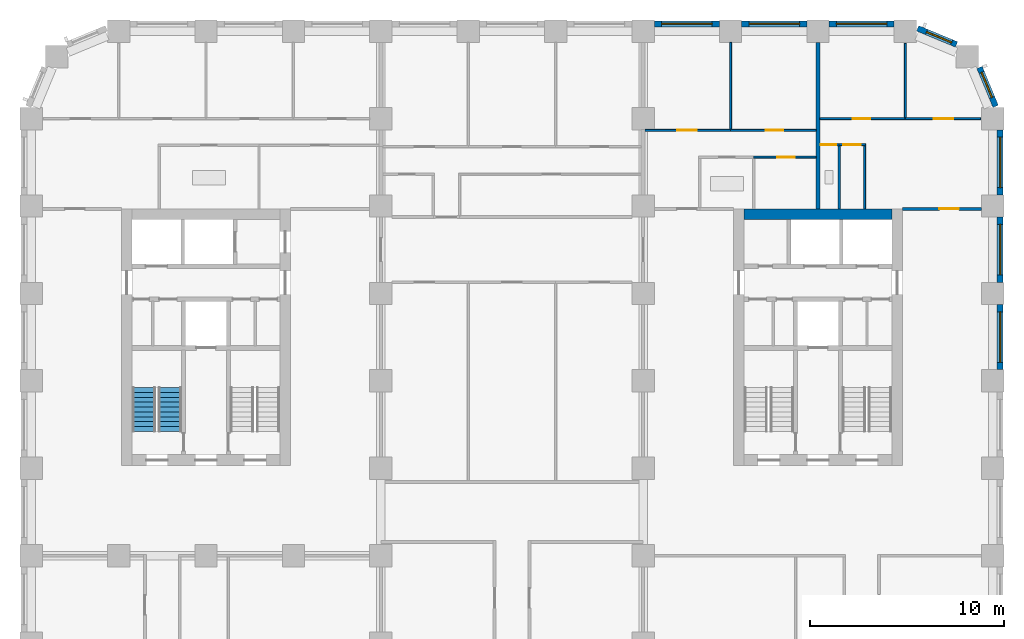
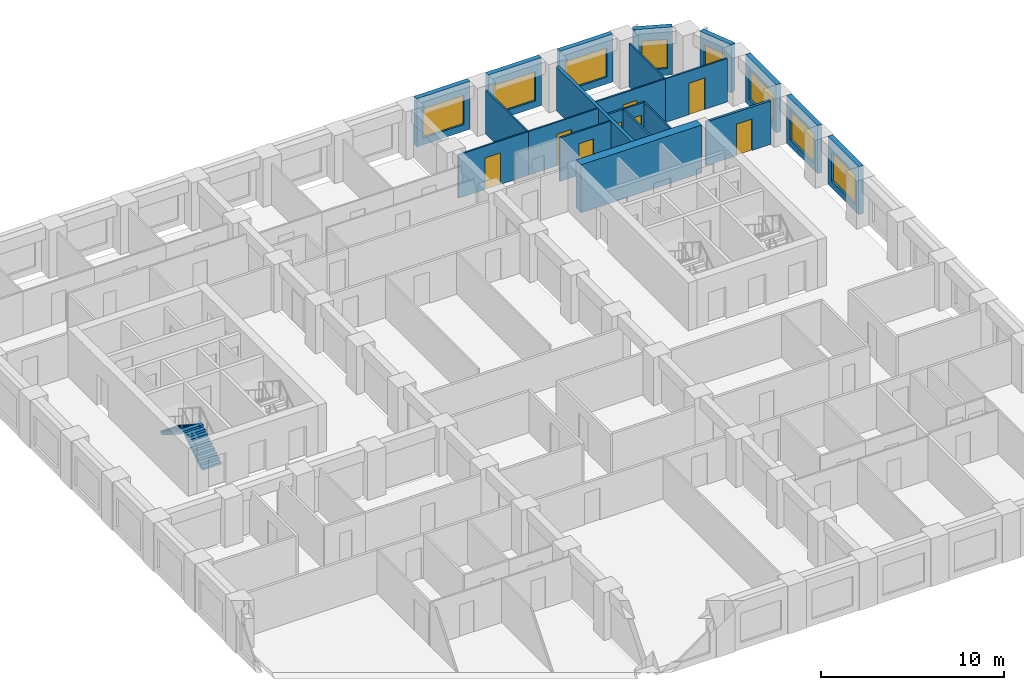
# One storey, part 9 of 13: 22 walls, 8 doors, 8 windows, 2 stair flights, 16 openings, 1 element without a shape of its own.
"""IFC4 building model written with IfcOpenShell, lengths in metres."""

from ifc_helpers import new_model, si_unit, direction, frame, frame_2d, origin, place, context, subcontext, project, spatial, polyline, rectangle, outline, extrude, material, layer, layer_set, type_object, element, fill, aggregate, save


model = new_model("IFC4")

# Units and contexts
model_context = context("Model", 3, precision=1e-05, world=origin(), true_north=direction((0.0, 1.0)))
body_context = subcontext(model_context, "Body", "Model", "MODEL_VIEW")
ifc_project = project(units=[si_unit("LENGTHUNIT", "METRE"), si_unit("AREAUNIT", "SQUARE_METRE"), si_unit("VOLUMEUNIT", "CUBIC_METRE"), si_unit("PLANEANGLEUNIT", "RADIAN"), si_unit("MASSUNIT", "GRAM", prefix="KILO")], contexts=[model_context])

# Site, building, storey
site_placement = place(None, origin())
site = spatial("IfcSite", under=ifc_project, at=site_placement, CompositionType="ELEMENT")
building_placement = place(site_placement, origin())
building = spatial("IfcBuilding", under=site, at=building_placement, Name="Girih Gate Residences", CompositionType="ELEMENT")
storey_placement = place(building_placement, frame((0.0, 0.0, 92.800048828125)))
storey = spatial("IfcBuildingStorey", under=building, at=storey_placement, Name="L25", CompositionType="ELEMENT", Elevation=92.800048828125)

# Wall, opening, door
ifc_material_1 = material(Name="Gypsum board on steel studs", Category="steel")
ifc_layer_1 = layer(ifc_material_1, 0.14990234375)
ifc_layer_set_1 = layer_set([ifc_layer_1], Name="Compartment wall 150 mm")
wall_type_1 = type_object("IfcWallType", Name="Compartment wall 150 mm", PredefinedType="PARTITIONING", material=ifc_layer_set_1)
wall_1_placement = place(storey_placement, frame((44.85009765625, 40.35009765625, 0.0), z_axis=(0.0, 0.0, 1.0), x_axis=(1.0, 0.0, 0.0)))
wall_1 = element("IfcWall", 1, at=wall_1_placement, inside=storey, type_object=wall_type_1, Name="L25 partition", PredefinedType="PARTITIONING", context=body_context, shape_type="SweptSolid", body=[
    extrude(rectangle(XDim=4.074951171875, YDim=0.14990234375, at=frame_2d((2.03759765625, 0.0))), origin(), (0.0, 0.0, 1.0), 2.89990234375),
])
opening_1_placement = place(wall_1_placement, frame((1.89990234375, 0.0, 0.0)))
opening_1 = element("IfcOpeningElement", 2, at=opening_1_placement, cuts=wall_1, Name="Opening A25-029", PredefinedType="OPENING", context=body_context, shape_type="SweptSolid", body=[
    extrude(rectangle(XDim=1.0, YDim=2.10009765625, at=frame_2d((0.5, 1.050048828125))), frame((0.0, 0.0849609375, 0.0), z_axis=(0.0, -1.0, 0.0), x_axis=(1.0, 0.0, 0.0)), (0.0, 0.0, 1.0), 0.169921875),
])
ifc_material_2 = material(Name="Timber, fire-rated core", Category="wood")
door_type_1 = type_object("IfcDoorType", Name="Flat entrance door 1000x2100 FD30S", OperationType="NOTDEFINED", PredefinedType="DOOR", material=ifc_material_2)
door_1_placement = place(opening_1_placement, origin())
door_1 = element("IfcDoor", 3, at=door_1_placement, inside=storey, type_object=door_type_1, Name="Door A25-029", OperationType="SINGLE_SWING_RIGHT", OverallHeight=2.10009765625, OverallWidth=1.0, PredefinedType="DOOR", context=body_context, shape_type="SweptSolid", body=[
    extrude(rectangle(XDim=1.0, YDim=2.10009765625, at=frame_2d((0.5, 1.050048828125))), frame((0.0, 0.02490234375, 0.0), z_axis=(0.0, -1.0, 0.0), x_axis=(1.0, 0.0, 0.0)), (0.0, 0.0, 1.0), 0.050048828125),
])
fill(opening_1, door_1)

# Wall
ifc_material_3 = material(Name="Concrete C60/75", Category="concrete")
ifc_layer_2 = layer(ifc_material_3, 0.550048828125)
ifc_layer_set_2 = layer_set([ifc_layer_2], Name="Core wall RC 550 Concrete C60/75")
wall_type_2 = type_object("IfcWallType", Name="Core wall RC 550 Concrete C60/75", PredefinedType="SOLIDWALL", material=ifc_layer_set_2)
wall_2_placement = place(storey_placement, frame((36.699951171875, 40.074951171875, 0.0), z_axis=(0.0, 0.0, 1.0), x_axis=(1.0, 0.0, 0.0)))
element("IfcWall", 4, at=wall_2_placement, inside=storey, type_object=wall_type_2, Name="Core wall E-N L25", PredefinedType="SOLIDWALL", context=body_context, shape_type="SweptSolid", body=[
    extrude(rectangle(XDim=7.60009765625, YDim=0.550048828125, at=frame_2d((3.800048828125, 0.0))), origin(), (0.0, 0.0, 1.0), 3.199951171875),
])

# Wall, opening, door
ifc_layer_3 = layer(ifc_material_1, 0.10009765625)
ifc_layer_set_3 = layer_set([ifc_layer_3], Name="Partition 100 mm")
wall_type_3 = type_object("IfcWallType", Name="Partition 100 mm", PredefinedType="PARTITIONING", material=ifc_layer_set_3)
wall_3_placement = place(storey_placement, frame((40.60009765625, 45.0, 0.0), z_axis=(0.0, 0.0, 1.0), x_axis=(1.0, 0.0, 0.0)))
wall_3 = element("IfcWall", 5, at=wall_3_placement, inside=storey, type_object=wall_type_3, Name="L25 partition", PredefinedType="PARTITIONING", context=body_context, shape_type="SweptSolid", body=[
    extrude(rectangle(XDim=4.39990234375, YDim=0.10009765625, at=frame_2d((2.199951171875, 0.0))), origin(), (0.0, 0.0, 1.0), 2.89990234375),
])
opening_2_placement = place(wall_3_placement, frame((1.699951171875, 0.0, 0.0)))
opening_2 = element("IfcOpeningElement", 6, at=opening_2_placement, cuts=wall_3, Name="Opening A25-026", PredefinedType="OPENING", context=body_context, shape_type="SweptSolid", body=[
    extrude(rectangle(XDim=0.89990234375, YDim=2.10009765625, at=frame_2d((0.449951171875, 1.050048828125))), frame((0.0, 0.06005859375, 0.0), z_axis=(0.0, -1.0, 0.0), x_axis=(1.0, 0.0, 0.0)), (0.0, 0.0, 1.0), 0.1201171875),
])
ifc_material_4 = material(Name="Timber", Category="wood")
door_type_2 = type_object("IfcDoorType", Name="Bedroom door 900x2100", OperationType="NOTDEFINED", PredefinedType="DOOR", material=ifc_material_4)
door_2_placement = place(opening_2_placement, origin())
door_2 = element("IfcDoor", 7, at=door_2_placement, inside=storey, type_object=door_type_2, Name="Door A25-026", OperationType="SINGLE_SWING_LEFT", OverallHeight=2.10009765625, OverallWidth=0.89990234375, PredefinedType="DOOR", context=body_context, shape_type="SweptSolid", body=[
    extrude(rectangle(XDim=0.89990234375, YDim=2.10009765625, at=frame_2d((0.449951171875, 1.050048828125))), frame((0.0, 0.02490234375, 0.0), z_axis=(0.0, -1.0, 0.0), x_axis=(1.0, 0.0, 0.0)), (0.0, 0.0, 1.0), 0.050048828125),
])
fill(opening_2, door_2)

# Walls
wall_4_placement = place(storey_placement, frame((45.0, 45.050048828125, 0.0), z_axis=(0.0, 0.0, 1.0), x_axis=(0.0, 1.0, 0.0)))
element("IfcWall", 8, at=wall_4_placement, inside=storey, type_object=wall_type_3, Name="L25 partition", PredefinedType="PARTITIONING", context=body_context, shape_type="SweptSolid", body=[
    extrude(rectangle(XDim=3.82763671875, YDim=0.10009765625, at=frame_2d((1.913818359375, 0.0))), origin(), (0.0, 0.0, 1.0), 2.89990234375),
])
wall_5_placement = place(storey_placement, frame((42.89990234375, 40.35009765625, 0.0), z_axis=(0.0, 0.0, 1.0), x_axis=(0.0, 1.0, 0.0)))
element("IfcWall", 9, at=wall_5_placement, inside=storey, type_object=wall_type_3, Name="L25 partition", PredefinedType="PARTITIONING", context=body_context, shape_type="SweptSolid", body=[
    extrude(rectangle(XDim=3.260009765625, YDim=0.10009765625, at=frame_2d((1.6298828125, 0.0))), origin(), (0.0, 0.0, 1.0), 2.89990234375),
])

# Wall, opening, door
wall_6_placement = place(storey_placement, frame((42.949951171875, 43.659912109375, 0.0), z_axis=(0.0, 0.0, 1.0), x_axis=(-1.0, 0.0, 0.0)))
wall_6 = element("IfcWall", 10, at=wall_6_placement, inside=storey, type_object=wall_type_3, Name="L25 partition", PredefinedType="PARTITIONING", context=body_context, shape_type="SweptSolid", body=[
    extrude(rectangle(XDim=1.359130859375, YDim=0.10009765625, at=frame_2d((0.6796875, 0.0))), origin(), (0.0, 0.0, 1.0), 2.89990234375),
])
opening_3_placement = place(wall_6_placement, frame((0.25439453125, 0.0, 0.0)))
opening_3 = element("IfcOpeningElement", 11, at=opening_3_placement, cuts=wall_6, Name="Opening A25-027", PredefinedType="OPENING", context=body_context, shape_type="SweptSolid", body=[
    extrude(rectangle(XDim=0.89990234375, YDim=2.10009765625, at=frame_2d((0.449951171875, 1.050048828125))), frame((0.0, 0.06005859375, 0.0), z_axis=(0.0, -1.0, 0.0), x_axis=(1.0, 0.0, 0.0)), (0.0, 0.0, 1.0), 0.1201171875),
])
door_type_3 = type_object("IfcDoorType", Name="Kitchen door 900x2100", OperationType="NOTDEFINED", PredefinedType="DOOR", material=ifc_material_4)
door_3_placement = place(opening_3_placement, origin())
door_3 = element("IfcDoor", 12, at=door_3_placement, inside=storey, type_object=door_type_3, Name="Door A25-027", OperationType="SINGLE_SWING_RIGHT", OverallHeight=2.10009765625, OverallWidth=0.89990234375, PredefinedType="DOOR", context=body_context, shape_type="SweptSolid", body=[
    extrude(rectangle(XDim=0.89990234375, YDim=2.10009765625, at=frame_2d((0.449951171875, 1.050048828125))), frame((0.0, 0.02490234375, 0.0), z_axis=(0.0, -1.0, 0.0), x_axis=(1.0, 0.0, 0.0)), (0.0, 0.0, 1.0), 0.050048828125),
])
fill(opening_3, door_3)

wall_7_placement = place(storey_placement, frame((45.0, 45.0, 0.0), z_axis=(0.0, 0.0, 1.0), x_axis=(1.0, 0.0, 0.0)))
wall_7 = element("IfcWall", 13, at=wall_7_placement, inside=storey, type_object=wall_type_3, Name="L25 partition", PredefinedType="PARTITIONING", context=body_context, shape_type="SweptSolid", body=[
    extrude(rectangle(XDim=3.877685546875, YDim=0.10009765625, at=frame_2d((1.93896484375, 0.0))), origin(), (0.0, 0.0, 1.0), 2.89990234375),
])
opening_4_placement = place(wall_7_placement, frame((1.46240234375, 0.0, 0.0)))
opening_4 = element("IfcOpeningElement", 14, at=opening_4_placement, cuts=wall_7, Name="Opening A25-028", PredefinedType="OPENING", context=body_context, shape_type="SweptSolid", body=[
    extrude(rectangle(XDim=1.0, YDim=2.10009765625, at=frame_2d((0.5, 1.050048828125))), frame((0.0, 0.06005859375, 0.0), z_axis=(0.0, -1.0, 0.0), x_axis=(1.0, 0.0, 0.0)), (0.0, 0.0, 1.0), 0.1201171875),
])
door_type_4 = type_object("IfcDoorType", Name="Living room door 1000x2100", OperationType="NOTDEFINED", PredefinedType="DOOR", material=ifc_material_4)
door_4_placement = place(opening_4_placement, origin())
door_4 = element("IfcDoor", 15, at=door_4_placement, inside=storey, type_object=door_type_4, Name="Door A25-028", OperationType="SINGLE_SWING_RIGHT", OverallHeight=2.10009765625, OverallWidth=1.0, PredefinedType="DOOR", context=body_context, shape_type="SweptSolid", body=[
    extrude(rectangle(XDim=1.0, YDim=2.10009765625, at=frame_2d((0.5, 1.050048828125))), frame((0.0, 0.02490234375, 0.0), z_axis=(0.0, -1.0, 0.0), x_axis=(1.0, 0.0, 0.0)), (0.0, 0.0, 1.0), 0.050048828125),
])
fill(opening_4, door_4)

wall_8_placement = place(storey_placement, frame((36.0, 44.39501953125, 0.0), z_axis=(0.0, 0.0, 1.0), x_axis=(1.0, 0.0, 0.0)))
wall_8 = element("IfcWall", 16, at=wall_8_placement, inside=storey, type_object=wall_type_3, Name="L25 partition", PredefinedType="PARTITIONING", context=body_context, shape_type="SweptSolid", body=[
    extrude(rectangle(XDim=4.39990234375, YDim=0.10009765625, at=frame_2d((2.199951171875, 0.0))), origin(), (0.0, 0.0, 1.0), 2.89990234375),
])
opening_5_placement = place(wall_8_placement, frame((1.800048828125, 0.0, 0.0)))
opening_5 = element("IfcOpeningElement", 17, at=opening_5_placement, cuts=wall_8, Name="Opening A25-031", PredefinedType="OPENING", context=body_context, shape_type="SweptSolid", body=[
    extrude(rectangle(XDim=0.89990234375, YDim=2.10009765625, at=frame_2d((0.449951171875, 1.050048828125))), frame((0.0, 0.06005859375, 0.0), z_axis=(0.0, -1.0, 0.0), x_axis=(1.0, 0.0, 0.0)), (0.0, 0.0, 1.0), 0.1201171875),
])
door_5_placement = place(opening_5_placement, origin())
door_5 = element("IfcDoor", 18, at=door_5_placement, inside=storey, type_object=door_type_2, Name="Door A25-031", OperationType="SINGLE_SWING_RIGHT", OverallHeight=2.10009765625, OverallWidth=0.89990234375, PredefinedType="DOOR", context=body_context, shape_type="SweptSolid", body=[
    extrude(rectangle(XDim=0.89990234375, YDim=2.10009765625, at=frame_2d((0.449951171875, 1.050048828125))), frame((0.0, 0.02490234375, 0.0), z_axis=(0.0, -1.0, 0.0), x_axis=(1.0, 0.0, 0.0)), (0.0, 0.0, 1.0), 0.050048828125),
])
fill(opening_5, door_5)

# Wall
wall_9_placement = place(storey_placement, frame((36.0, 44.445068359375, 0.0), z_axis=(0.0, 0.0, 1.0), x_axis=(0.0, 1.0, 0.0)))
element("IfcWall", 19, at=wall_9_placement, inside=storey, type_object=wall_type_3, Name="L25 partition", PredefinedType="PARTITIONING", context=body_context, shape_type="SweptSolid", body=[
    extrude(rectangle(XDim=4.47998046875, YDim=0.10009765625, at=frame_2d((2.239990234375, 0.0))), origin(), (0.0, 0.0, 1.0), 2.89990234375),
])

# Wall, opening, door
wall_10_placement = place(storey_placement, frame((40.39990234375, 43.014892578125, 0.0), z_axis=(0.0, 0.0, 1.0), x_axis=(-1.0, 0.0, 0.0)))
wall_10 = element("IfcWall", 20, at=wall_10_placement, inside=storey, type_object=wall_type_3, Name="L25 partition", PredefinedType="PARTITIONING", context=body_context, shape_type="SweptSolid", body=[
    extrude(rectangle(XDim=3.20947265625, YDim=0.10009765625, at=frame_2d((1.604736328125, 0.0))), origin(), (0.0, 0.0, 1.0), 2.89990234375),
])
opening_6_placement = place(wall_10_placement, frame((1.104736328125, 0.0, 0.0)))
opening_6 = element("IfcOpeningElement", 21, at=opening_6_placement, cuts=wall_10, Name="Opening A25-032", PredefinedType="OPENING", context=body_context, shape_type="SweptSolid", body=[
    extrude(rectangle(XDim=0.89990234375, YDim=2.10009765625, at=frame_2d((0.449951171875, 1.050048828125))), frame((0.0, 0.06005859375, 0.0), z_axis=(0.0, -1.0, 0.0), x_axis=(1.0, 0.0, 0.0)), (0.0, 0.0, 1.0), 0.1201171875),
])
door_6_placement = place(opening_6_placement, origin())
door_6 = element("IfcDoor", 22, at=door_6_placement, inside=storey, type_object=door_type_3, Name="Door A25-032", OperationType="SINGLE_SWING_LEFT", OverallHeight=2.10009765625, OverallWidth=0.89990234375, PredefinedType="DOOR", context=body_context, shape_type="SweptSolid", body=[
    extrude(rectangle(XDim=0.89990234375, YDim=2.10009765625, at=frame_2d((0.449951171875, 1.050048828125))), frame((0.0, 0.02490234375, 0.0), z_axis=(0.0, -1.0, 0.0), x_axis=(1.0, 0.0, 0.0)), (0.0, 0.0, 1.0), 0.050048828125),
])
fill(opening_6, door_6)

wall_11_placement = place(storey_placement, frame((31.60009765625, 44.39501953125, 0.0), z_axis=(0.0, 0.0, 1.0), x_axis=(1.0, 0.0, 0.0)))
wall_11 = element("IfcWall", 23, at=wall_11_placement, inside=storey, type_object=wall_type_3, Name="L25 partition", PredefinedType="PARTITIONING", context=body_context, shape_type="SweptSolid", body=[
    extrude(rectangle(XDim=4.39990234375, YDim=0.10009765625, at=frame_2d((2.199951171875, 0.0))), origin(), (0.0, 0.0, 1.0), 2.89990234375),
])
opening_7_placement = place(wall_11_placement, frame((1.64990234375, 0.0, 0.0)))
opening_7 = element("IfcOpeningElement", 24, at=opening_7_placement, cuts=wall_11, Name="Opening A25-033", PredefinedType="OPENING", context=body_context, shape_type="SweptSolid", body=[
    extrude(rectangle(XDim=1.0, YDim=2.10009765625, at=frame_2d((0.5, 1.050048828125))), frame((0.0, 0.06005859375, 0.0), z_axis=(0.0, -1.0, 0.0), x_axis=(1.0, 0.0, 0.0)), (0.0, 0.0, 1.0), 0.1201171875),
])
door_7_placement = place(opening_7_placement, origin())
door_7 = element("IfcDoor", 25, at=door_7_placement, inside=storey, type_object=door_type_4, Name="Door A25-033", OperationType="SINGLE_SWING_LEFT", OverallHeight=2.10009765625, OverallWidth=1.0, PredefinedType="DOOR", context=body_context, shape_type="SweptSolid", body=[
    extrude(rectangle(XDim=1.0, YDim=2.10009765625, at=frame_2d((0.5, 1.050048828125))), frame((0.0, 0.02490234375, 0.0), z_axis=(0.0, -1.0, 0.0), x_axis=(1.0, 0.0, 0.0)), (0.0, 0.0, 1.0), 0.050048828125),
])
fill(opening_7, door_7)

# Wall
ifc_layer_4 = layer(ifc_material_1, 0.199951171875)
ifc_layer_set_4 = layer_set([ifc_layer_4], Name="Party wall 200 mm")
wall_type_4 = type_object("IfcWallType", Name="Party wall 200 mm", PredefinedType="PARTITIONING", material=ifc_layer_set_4)
wall_12_placement = place(storey_placement, frame((40.5, 40.35009765625, 0.0), z_axis=(0.0, 0.0, 1.0), x_axis=(0.0, 1.0, 0.0)))
element("IfcWall", 26, at=wall_12_placement, inside=storey, type_object=wall_type_4, Name="L25 partition", PredefinedType="PARTITIONING", context=body_context, shape_type="SweptSolid", body=[
    extrude(rectangle(XDim=8.574951171875, YDim=0.199951171875, at=frame_2d((4.28759765625, 0.0))), origin(), (0.0, 0.0, 1.0), 2.89990234375),
])

# Wall, opening, window
ifc_material_5 = material(Name="Precast concrete C50/60", Category="concrete")
ifc_layer_5 = layer(ifc_material_5, 0.080078125, Name="Outer leaf")
ifc_material_6 = material(Name="Rigid PIR insulation")
ifc_layer_6 = layer(ifc_material_6, 0.14990234375, Name="Insulation")
ifc_material_7 = material(Name="Precast concrete C40/50", Category="concrete")
ifc_layer_7 = layer(ifc_material_7, 0.070068359375, Name="Inner leaf")
ifc_layer_set_5 = layer_set([ifc_layer_5, ifc_layer_6, ifc_layer_7], Name="Precast concrete C50/60 external wall 300")
wall_type_5 = type_object("IfcWallType", Name="Precast concrete C50/60 external wall 300", PredefinedType="SOLIDWALL", material=ifc_layer_set_5)
wall_13_placement = place(storey_placement, frame((49.875, 35.425048828125, 0.0), z_axis=(0.0, 0.0, 1.0), x_axis=(0.0, -1.0, 0.0)))
wall_13 = element("IfcWall", 27, at=wall_13_placement, inside=storey, type_object=wall_type_5, Name="External wall E0495_0045.6", PredefinedType="SOLIDWALL", context=body_context, shape_type="SweptSolid", body=[
    extrude(rectangle(XDim=3.35009765625, YDim=0.300048828125, at=frame_2d((1.675048828125, 0.0))), origin(), (0.0, 0.0, 1.0), 3.199951171875),
])
opening_8_placement = place(wall_13_placement, frame((0.375, 0.0, 0.449951171875)))
opening_8 = element("IfcOpeningElement", 28, at=opening_8_placement, cuts=wall_13, Name="Opening W-1A", PredefinedType="OPENING", context=body_context, shape_type="SweptSolid", body=[
    extrude(rectangle(XDim=2.60009765625, YDim=1.949951171875, at=frame_2d((1.300048828125, 0.97509765625))), frame((0.0, 0.159912109375, 0.0), z_axis=(0.0, -1.0, 0.0), x_axis=(1.0, 0.0, 0.0)), (0.0, 0.0, 1.0), 0.320068359375),
])
ifc_material_8 = material(Name="Double glazing in aluminium frame", Category="aluminium")
window_type_1 = type_object("IfcWindowType", Name="Window W-1A 2600x1950", PartitioningType="SINGLE_PANEL", PredefinedType="WINDOW", material=ifc_material_8)
window_1_placement = place(opening_8_placement, origin())
window_1 = element("IfcWindow", 29, at=window_1_placement, inside=storey, type_object=window_type_1, Name="Window W-1A E0495_0045.6", OverallHeight=1.949951171875, OverallWidth=2.60009765625, PartitioningType="SINGLE_PANEL", PredefinedType="WINDOW", context=body_context, shape_type="SweptSolid", body=[
    extrude(rectangle(XDim=2.60009765625, YDim=1.949951171875, at=frame_2d((1.300048828125, 0.97509765625))), frame((0.0, 0.030029296875, 0.0), z_axis=(0.0, -1.0, 0.0), x_axis=(1.0, 0.0, 0.0)), (0.0, 0.0, 1.0), 0.06005859375),
])
fill(opening_8, window_1)

wall_14_placement = place(storey_placement, frame((49.875, 39.925048828125, 0.0), z_axis=(0.0, 0.0, 1.0), x_axis=(0.0, -1.0, 0.0)))
wall_14 = element("IfcWall", 30, at=wall_14_placement, inside=storey, type_object=wall_type_5, Name="External wall E0495_0045.7", PredefinedType="SOLIDWALL", context=body_context, shape_type="SweptSolid", body=[
    extrude(rectangle(XDim=3.35009765625, YDim=0.300048828125, at=frame_2d((1.675048828125, 0.0))), origin(), (0.0, 0.0, 1.0), 3.199951171875),
])
opening_9_placement = place(wall_14_placement, frame((0.375, 0.0, 0.449951171875)))
opening_9 = element("IfcOpeningElement", 31, at=opening_9_placement, cuts=wall_14, Name="Opening W-1A", PredefinedType="OPENING", context=body_context, shape_type="SweptSolid", body=[
    extrude(rectangle(XDim=2.60009765625, YDim=1.949951171875, at=frame_2d((1.300048828125, 0.97509765625))), frame((0.0, 0.159912109375, 0.0), z_axis=(0.0, -1.0, 0.0), x_axis=(1.0, 0.0, 0.0)), (0.0, 0.0, 1.0), 0.320068359375),
])
window_2_placement = place(opening_9_placement, origin())
window_2 = element("IfcWindow", 32, at=window_2_placement, inside=storey, type_object=window_type_1, Name="Window W-1A E0495_0045.7", OverallHeight=1.949951171875, OverallWidth=2.60009765625, PartitioningType="SINGLE_PANEL", PredefinedType="WINDOW", context=body_context, shape_type="SweptSolid", body=[
    extrude(rectangle(XDim=2.60009765625, YDim=1.949951171875, at=frame_2d((1.300048828125, 0.97509765625))), frame((0.0, 0.030029296875, 0.0), z_axis=(0.0, -1.0, 0.0), x_axis=(1.0, 0.0, 0.0)), (0.0, 0.0, 1.0), 0.06005859375),
])
fill(opening_9, window_2)

wall_15_placement = place(storey_placement, frame((49.875, 44.425048828125, 0.0), z_axis=(0.0, 0.0, 1.0), x_axis=(0.0, -1.0, 0.0)))
wall_15 = element("IfcWall", 33, at=wall_15_placement, inside=storey, type_object=wall_type_5, Name="External wall E0495_0045.8", PredefinedType="SOLIDWALL", context=body_context, shape_type="SweptSolid", body=[
    extrude(rectangle(XDim=3.35009765625, YDim=0.300048828125, at=frame_2d((1.675048828125, 0.0))), origin(), (0.0, 0.0, 1.0), 3.199951171875),
])
opening_10_placement = place(wall_15_placement, frame((0.375, 0.0, 0.449951171875)))
opening_10 = element("IfcOpeningElement", 34, at=opening_10_placement, cuts=wall_15, Name="Opening W-1A", PredefinedType="OPENING", context=body_context, shape_type="SweptSolid", body=[
    extrude(rectangle(XDim=2.60009765625, YDim=1.949951171875, at=frame_2d((1.300048828125, 0.97509765625))), frame((0.0, 0.159912109375, 0.0), z_axis=(0.0, -1.0, 0.0), x_axis=(1.0, 0.0, 0.0)), (0.0, 0.0, 1.0), 0.320068359375),
])
window_3_placement = place(opening_10_placement, origin())
window_3 = element("IfcWindow", 35, at=window_3_placement, inside=storey, type_object=window_type_1, Name="Window W-1A E0495_0045.8", OverallHeight=1.949951171875, OverallWidth=2.60009765625, PartitioningType="SINGLE_PANEL", PredefinedType="WINDOW", context=body_context, shape_type="SweptSolid", body=[
    extrude(rectangle(XDim=2.60009765625, YDim=1.949951171875, at=frame_2d((1.300048828125, 0.97509765625))), frame((0.0, 0.030029296875, 0.0), z_axis=(0.0, -1.0, 0.0), x_axis=(1.0, 0.0, 0.0)), (0.0, 0.0, 1.0), 0.06005859375),
])
fill(opening_10, window_3)

wall_16_placement = place(storey_placement, frame((48.81591796875, 47.63134765625, 0.0), z_axis=(0.0, 0.0, 1.0), x_axis=(0.382723818695, -0.923862802911, 0.0)))
wall_16 = element("IfcWall", 36, at=wall_16_placement, inside=storey, type_object=wall_type_5, Name="External wall NE0495_0450.0", PredefinedType="SOLIDWALL", context=body_context, shape_type="SweptSolid", body=[
    extrude(rectangle(XDim=2.163818359375, YDim=0.300048828125, at=frame_2d((1.08203125, 0.0))), origin(), (0.0, 0.0, 1.0), 3.199951171875),
])
opening_11_placement = place(wall_16_placement, frame((0.270751953125, 0.0, 0.449951171875)))
opening_11 = element("IfcOpeningElement", 37, at=opening_11_placement, cuts=wall_16, Name="Opening W-2D", PredefinedType="OPENING", context=body_context, shape_type="SweptSolid", body=[
    extrude(rectangle(XDim=1.39990234375, YDim=1.949951171875, at=frame_2d((0.699951171875, 0.97509765625))), frame((0.0, 0.159912109375, 0.0), z_axis=(0.0, -1.0, 0.0), x_axis=(1.0, 0.0, 0.0)), (0.0, 0.0, 1.0), 0.320068359375),
])
window_type_2 = type_object("IfcWindowType", Name="Window W-2D 1400x1950", PartitioningType="SINGLE_PANEL", PredefinedType="WINDOW", material=ifc_material_8)
window_4_placement = place(opening_11_placement, origin())
window_4 = element("IfcWindow", 38, at=window_4_placement, inside=storey, type_object=window_type_2, Name="Window W-2D NE0495_0450.0", OverallHeight=1.949951171875, OverallWidth=1.39990234375, PartitioningType="SINGLE_PANEL", PredefinedType="WINDOW", context=body_context, shape_type="SweptSolid", body=[
    extrude(rectangle(XDim=1.39990234375, YDim=1.949951171875, at=frame_2d((0.699951171875, 0.97509765625))), frame((0.0, 0.030029296875, 0.0), z_axis=(0.0, -1.0, 0.0), x_axis=(1.0, 0.0, 0.0)), (0.0, 0.0, 1.0), 0.06005859375),
])
fill(opening_11, window_4)

wall_17_placement = place(storey_placement, frame((45.63232421875, 49.64404296875, 0.0), z_axis=(0.0, 0.0, 1.0), x_axis=(0.923862802911, -0.382723818695, 0.0)))
wall_17 = element("IfcWall", 39, at=wall_17_placement, inside=storey, type_object=wall_type_5, Name="External wall NE0482_0482.0", PredefinedType="SOLIDWALL", context=body_context, shape_type="SweptSolid", body=[
    extrude(rectangle(XDim=2.163818359375, YDim=0.300048828125, at=frame_2d((1.08203125, 0.0))), origin(), (0.0, 0.0, 1.0), 3.199951171875),
])
opening_12_placement = place(wall_17_placement, frame((0.492919921875, 0.0, 0.449951171875)))
opening_12 = element("IfcOpeningElement", 40, at=opening_12_placement, cuts=wall_17, Name="Opening W-2D", PredefinedType="OPENING", context=body_context, shape_type="SweptSolid", body=[
    extrude(rectangle(XDim=1.39990234375, YDim=1.949951171875, at=frame_2d((0.699951171875, 0.97509765625))), frame((0.0, 0.159912109375, 0.0), z_axis=(0.0, -1.0, 0.0), x_axis=(1.0, 0.0, 0.0)), (0.0, 0.0, 1.0), 0.320068359375),
])
window_5_placement = place(opening_12_placement, origin())
window_5 = element("IfcWindow", 41, at=window_5_placement, inside=storey, type_object=window_type_2, Name="Window W-2D NE0482_0482.0", OverallHeight=1.949951171875, OverallWidth=1.39990234375, PartitioningType="SINGLE_PANEL", PredefinedType="WINDOW", context=body_context, shape_type="SweptSolid", body=[
    extrude(rectangle(XDim=1.39990234375, YDim=1.949951171875, at=frame_2d((0.699951171875, 0.97509765625))), frame((0.0, 0.030029296875, 0.0), z_axis=(0.0, -1.0, 0.0), x_axis=(1.0, 0.0, 0.0)), (0.0, 0.0, 1.0), 0.06005859375),
])
fill(opening_12, window_5)

wall_18_placement = place(storey_placement, frame((41.074951171875, 49.875, 0.0), z_axis=(0.0, 0.0, 1.0), x_axis=(1.0, 0.0, 0.0)))
wall_18 = element("IfcWall", 42, at=wall_18_placement, inside=storey, type_object=wall_type_5, Name="External wall N0450_0495.0", PredefinedType="SOLIDWALL", context=body_context, shape_type="SweptSolid", body=[
    extrude(rectangle(XDim=3.35009765625, YDim=0.300048828125, at=frame_2d((1.675048828125, 0.0))), origin(), (0.0, 0.0, 1.0), 3.199951171875),
])
opening_13_placement = place(wall_18_placement, frame((0.375, 0.0, 0.449951171875)))
opening_13 = element("IfcOpeningElement", 43, at=opening_13_placement, cuts=wall_18, Name="Opening W-1A", PredefinedType="OPENING", context=body_context, shape_type="SweptSolid", body=[
    extrude(rectangle(XDim=2.60009765625, YDim=1.949951171875, at=frame_2d((1.300048828125, 0.97509765625))), frame((0.0, 0.159912109375, 0.0), z_axis=(0.0, -1.0, 0.0), x_axis=(1.0, 0.0, 0.0)), (0.0, 0.0, 1.0), 0.320068359375),
])
window_6_placement = place(opening_13_placement, origin())
window_6 = element("IfcWindow", 44, at=window_6_placement, inside=storey, type_object=window_type_1, Name="Window W-1A N0450_0495.0", OverallHeight=1.949951171875, OverallWidth=2.60009765625, PartitioningType="SINGLE_PANEL", PredefinedType="WINDOW", context=body_context, shape_type="SweptSolid", body=[
    extrude(rectangle(XDim=2.60009765625, YDim=1.949951171875, at=frame_2d((1.300048828125, 0.97509765625))), frame((0.0, 0.030029296875, 0.0), z_axis=(0.0, -1.0, 0.0), x_axis=(1.0, 0.0, 0.0)), (0.0, 0.0, 1.0), 0.06005859375),
])
fill(opening_13, window_6)

wall_19_placement = place(storey_placement, frame((36.574951171875, 49.875, 0.0), z_axis=(0.0, 0.0, 1.0), x_axis=(1.0, 0.0, 0.0)))
wall_19 = element("IfcWall", 45, at=wall_19_placement, inside=storey, type_object=wall_type_5, Name="External wall N0450_0495.1", PredefinedType="SOLIDWALL", context=body_context, shape_type="SweptSolid", body=[
    extrude(rectangle(XDim=3.35009765625, YDim=0.300048828125, at=frame_2d((1.675048828125, 0.0))), origin(), (0.0, 0.0, 1.0), 3.199951171875),
])
opening_14_placement = place(wall_19_placement, frame((0.375, 0.0, 0.449951171875)))
opening_14 = element("IfcOpeningElement", 46, at=opening_14_placement, cuts=wall_19, Name="Opening W-1A", PredefinedType="OPENING", context=body_context, shape_type="SweptSolid", body=[
    extrude(rectangle(XDim=2.60009765625, YDim=1.949951171875, at=frame_2d((1.300048828125, 0.97509765625))), frame((0.0, 0.159912109375, 0.0), z_axis=(0.0, -1.0, 0.0), x_axis=(1.0, 0.0, 0.0)), (0.0, 0.0, 1.0), 0.320068359375),
])
window_7_placement = place(opening_14_placement, origin())
window_7 = element("IfcWindow", 47, at=window_7_placement, inside=storey, type_object=window_type_1, Name="Window W-1A N0450_0495.1", OverallHeight=1.949951171875, OverallWidth=2.60009765625, PartitioningType="SINGLE_PANEL", PredefinedType="WINDOW", context=body_context, shape_type="SweptSolid", body=[
    extrude(rectangle(XDim=2.60009765625, YDim=1.949951171875, at=frame_2d((1.300048828125, 0.97509765625))), frame((0.0, 0.030029296875, 0.0), z_axis=(0.0, -1.0, 0.0), x_axis=(1.0, 0.0, 0.0)), (0.0, 0.0, 1.0), 0.06005859375),
])
fill(opening_14, window_7)

wall_20_placement = place(storey_placement, frame((32.074951171875, 49.875, 0.0), z_axis=(0.0, 0.0, 1.0), x_axis=(1.0, 0.0, 0.0)))
wall_20 = element("IfcWall", 48, at=wall_20_placement, inside=storey, type_object=wall_type_5, Name="External wall N0450_0495.2", PredefinedType="SOLIDWALL", context=body_context, shape_type="SweptSolid", body=[
    extrude(rectangle(XDim=3.35009765625, YDim=0.300048828125, at=frame_2d((1.675048828125, 0.0))), origin(), (0.0, 0.0, 1.0), 3.199951171875),
])
opening_15_placement = place(wall_20_placement, frame((0.375, 0.0, 0.449951171875)))
opening_15 = element("IfcOpeningElement", 49, at=opening_15_placement, cuts=wall_20, Name="Opening W-1A", PredefinedType="OPENING", context=body_context, shape_type="SweptSolid", body=[
    extrude(rectangle(XDim=2.60009765625, YDim=1.949951171875, at=frame_2d((1.300048828125, 0.97509765625))), frame((0.0, 0.159912109375, 0.0), z_axis=(0.0, -1.0, 0.0), x_axis=(1.0, 0.0, 0.0)), (0.0, 0.0, 1.0), 0.320068359375),
])
window_8_placement = place(opening_15_placement, origin())
window_8 = element("IfcWindow", 50, at=window_8_placement, inside=storey, type_object=window_type_1, Name="Window W-1A N0450_0495.2", OverallHeight=1.949951171875, OverallWidth=2.60009765625, PartitioningType="SINGLE_PANEL", PredefinedType="WINDOW", context=body_context, shape_type="SweptSolid", body=[
    extrude(rectangle(XDim=2.60009765625, YDim=1.949951171875, at=frame_2d((1.300048828125, 0.97509765625))), frame((0.0, 0.030029296875, 0.0), z_axis=(0.0, -1.0, 0.0), x_axis=(1.0, 0.0, 0.0)), (0.0, 0.0, 1.0), 0.06005859375),
])
fill(opening_15, window_8)

# Wall, opening, door
ifc_layer_8 = layer(ifc_material_1, 0.125)
ifc_layer_set_6 = layer_set([ifc_layer_8], Name="Wet room wall 125 mm")
wall_type_6 = type_object("IfcWallType", Name="Wet room wall 125 mm", PredefinedType="PARTITIONING", material=ifc_layer_set_6)
wall_21_placement = place(storey_placement, frame((41.5908203125, 43.659912109375, 0.0), z_axis=(0.0, 0.0, 1.0), x_axis=(-1.0, 0.0, 0.0)))
wall_21 = element("IfcWall", 51, at=wall_21_placement, inside=storey, type_object=wall_type_6, Name="L25 partition", PredefinedType="PARTITIONING", context=body_context, shape_type="SweptSolid", body=[
    extrude(rectangle(XDim=0.99072265625, YDim=0.125, at=frame_2d((0.495361328125, 0.0))), origin(), (0.0, 0.0, 1.0), 2.89990234375),
])
opening_16_placement = place(wall_21_placement, frame((0.1455078125, 0.0, 0.0)))
opening_16 = element("IfcOpeningElement", 52, at=opening_16_placement, cuts=wall_21, Name="Opening A25-025", PredefinedType="OPENING", context=body_context, shape_type="SweptSolid", body=[
    extrude(rectangle(XDim=0.800048828125, YDim=2.10009765625, at=frame_2d((0.39990234375, 1.050048828125))), frame((0.0, 0.072509765625, 0.0), z_axis=(0.0, -1.0, 0.0), x_axis=(1.0, 0.0, 0.0)), (0.0, 0.0, 1.0), 0.14501953125),
])
door_type_5 = type_object("IfcDoorType", Name="Bathroom door 800x2100", OperationType="NOTDEFINED", PredefinedType="DOOR", material=ifc_material_4)
door_8_placement = place(opening_16_placement, origin())
door_8 = element("IfcDoor", 53, at=door_8_placement, inside=storey, type_object=door_type_5, Name="Door A25-025", OperationType="SINGLE_SWING_RIGHT", OverallHeight=2.10009765625, OverallWidth=0.800048828125, PredefinedType="DOOR", context=body_context, shape_type="SweptSolid", body=[
    extrude(rectangle(XDim=0.800048828125, YDim=2.10009765625, at=frame_2d((0.39990234375, 1.050048828125))), frame((0.0, 0.02490234375, 0.0), z_axis=(0.0, -1.0, 0.0), x_axis=(1.0, 0.0, 0.0)), (0.0, 0.0, 1.0), 0.050048828125),
])
fill(opening_16, door_8)

# Wall
wall_22_placement = place(storey_placement, frame((41.591064453125, 40.35009765625, 0.0), z_axis=(0.0, 0.0, 1.0), x_axis=(0.0, 1.0, 0.0)))
element("IfcWall", 54, at=wall_22_placement, inside=storey, type_object=wall_type_6, Name="L25 partition", PredefinedType="PARTITIONING", context=body_context, shape_type="SweptSolid", body=[
    extrude(rectangle(XDim=3.247314453125, YDim=0.125, at=frame_2d((1.62353515625, 0.0))), origin(), (0.0, 0.0, 1.0), 2.89990234375),
])

# Stair, stair flights
ifc_material_9 = material(Name="Concrete C40/50", Category="concrete")
stair_type = type_object("IfcStairType", Name="Exit stair", PredefinedType="HALF_TURN_STAIR", material=ifc_material_9)
stair_placement = place(storey_placement, origin())
stair = element("IfcStair", 55, at=stair_placement, inside=storey, type_object=stair_type, Name="L25 Exit Stair ST-W1", PredefinedType="HALF_TURN_STAIR")
stair_flight_type = type_object("IfcStairFlightType", Name="Stair flight 1200", PredefinedType="STRAIGHT", material=ifc_material_9)
stair_flight_1_placement = place(storey_placement, frame((7.14990234375, 28.89990234375, 0.0), z_axis=(0.0, 0.0, 1.0), x_axis=(0.0, 1.0, 0.0)))
stair_flight_1 = element("IfcStairFlight", 56, at=stair_flight_1_placement, type_object=stair_flight_type, Name="ST-W1 flight 1", NumberOfRisers=10, NumberOfTreads=9, PredefinedType="STRAIGHT", RiserHeight=0.16, TreadLength=0.25, context=body_context, shape_type="SweptSolid", body=[
    extrude(outline(polyline([(0.0, 0.0), (0.0, 0.159912109375), (0.25, 0.159912109375), (0.25, 0.320068359375), (0.5, 0.320068359375), (0.5, 0.47998046875), (0.75, 0.47998046875), (0.75, 0.639892578125), (1.0, 0.639892578125), (1.0, 0.800048828125), (1.25, 0.800048828125), (1.25, 0.9599609375), (1.5, 0.9599609375), (1.5, 1.1201171875), (1.75, 1.1201171875), (1.75, 1.280029296875), (2.0, 1.280029296875), (2.0, 1.43994140625), (2.25, 1.43994140625), (2.25, 1.60009765625), (2.25, 1.29736328125), (0.222900390625, 0.0), (0.0, 0.0)])), frame((0.0, 0.60009765625, 0.0), z_axis=(0.0, -1.0, 0.0), x_axis=(1.0, 0.0, 0.0)), (0.0, 0.0, 1.0), 1.199951171875),
])
stair_flight_2_placement = place(storey_placement, frame((5.800048828125, 31.14990234375, 1.599853515625), z_axis=(0.0, 0.0, 1.0), x_axis=(0.0, -1.0, 0.0)))
stair_flight_2 = element("IfcStairFlight", 57, at=stair_flight_2_placement, type_object=stair_flight_type, Name="ST-W1 flight 2", NumberOfRisers=10, NumberOfTreads=9, PredefinedType="STRAIGHT", RiserHeight=0.16, TreadLength=0.25, context=body_context, shape_type="SweptSolid", body=[
    extrude(outline(polyline([(0.0, 0.0), (0.0, 0.159912109375), (0.25, 0.159912109375), (0.25, 0.320068359375), (0.5, 0.320068359375), (0.5, 0.47998046875), (0.75, 0.47998046875), (0.75, 0.639892578125), (1.0, 0.639892578125), (1.0, 0.800048828125), (1.25, 0.800048828125), (1.25, 0.9599609375), (1.5, 0.9599609375), (1.5, 1.1201171875), (1.75, 1.1201171875), (1.75, 1.280029296875), (2.0, 1.280029296875), (2.0, 1.43994140625), (2.25, 1.43994140625), (2.25, 1.60009765625), (2.25, 1.29736328125), (0.222900390625, 0.0), (0.0, 0.0)])), frame((0.0, 0.60009765625, 0.0), z_axis=(0.0, -1.0, 0.0), x_axis=(1.0, 0.0, 0.0)), (0.0, 0.0, 1.0), 1.199951171875),
])
aggregate(stair, [stair_flight_1, stair_flight_2])

save(model, "model.ifc")
